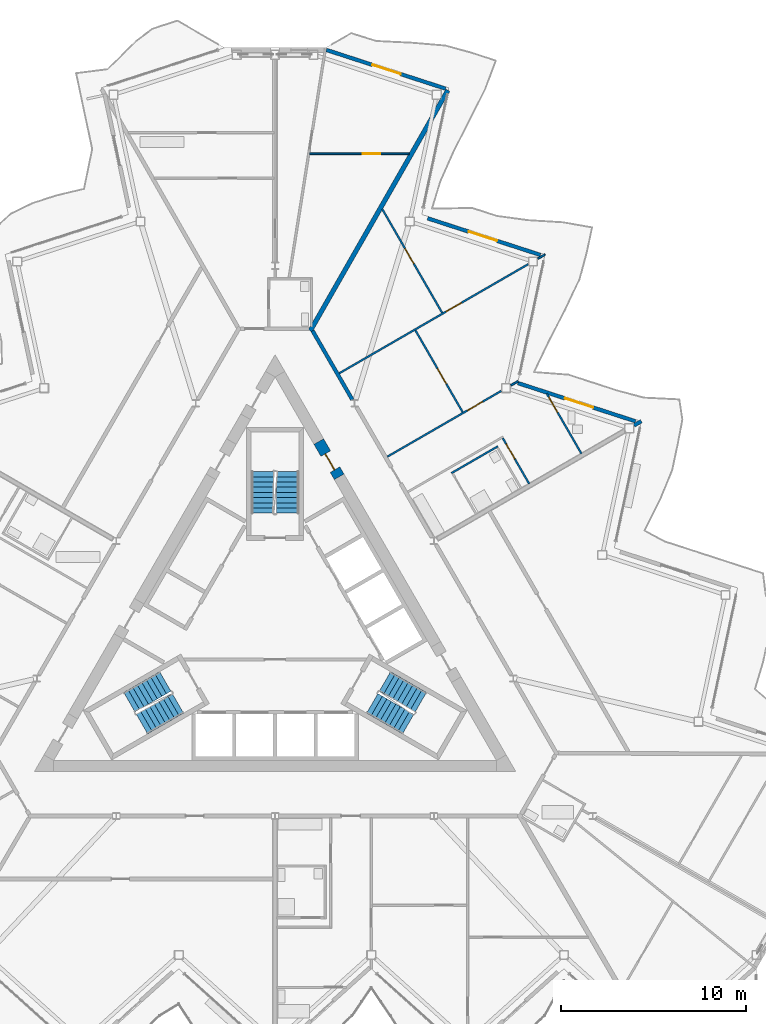
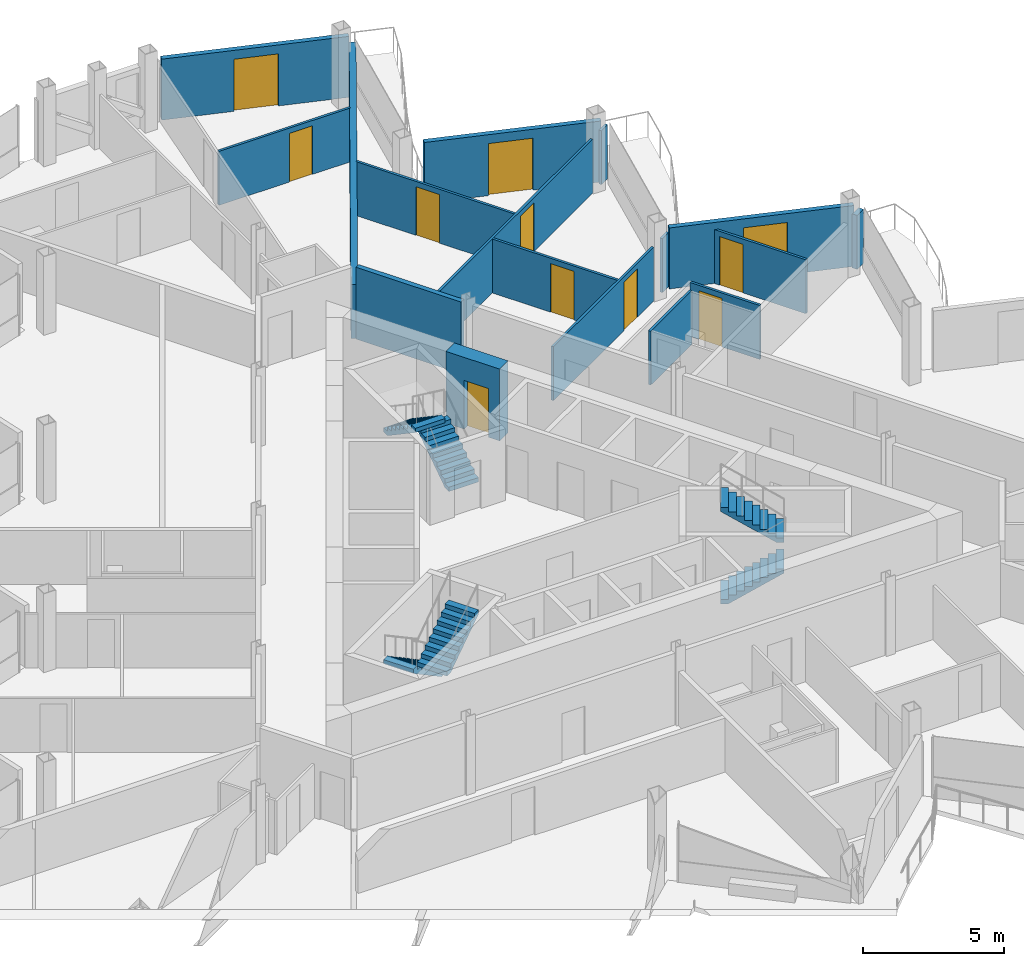
# One storey, part 17 of 26: 17 walls, 11 doors, 6 stair flights, 11 openings, 3 elements without a shape of their own.
"""IFC4 building model written with IfcOpenShell, lengths in metres."""

from ifc_helpers import new_model, si_unit, direction, frame, frame_2d, origin, place, context, subcontext, project, spatial, polyline, rectangle, outline, extrude, material, layer, layer_set, type_object, element, fill, aggregate, save


model = new_model("IFC4")

# Units and contexts
model_context = context("Model", 3, precision=1e-05, world=origin(), true_north=direction((0.0, 1.0)))
body_context = subcontext(model_context, "Body", "Model", "MODEL_VIEW")
ifc_project = project(units=[si_unit("LENGTHUNIT", "METRE"), si_unit("AREAUNIT", "SQUARE_METRE"), si_unit("VOLUMEUNIT", "CUBIC_METRE"), si_unit("PLANEANGLEUNIT", "RADIAN"), si_unit("MASSUNIT", "GRAM", prefix="KILO")], contexts=[model_context])

# Site, building, storey
site_placement = place(None, origin())
site = spatial("IfcSite", under=ifc_project, at=site_placement, CompositionType="ELEMENT")
building_placement = place(site_placement, origin())
building = spatial("IfcBuilding", under=site, at=building_placement, Name="Cormorant Prow Tower", CompositionType="ELEMENT")
storey_placement = place(building_placement, frame((0.0, 0.0, 367.800048828125)))
storey = spatial("IfcBuildingStorey", under=building, at=storey_placement, Name="L82", CompositionType="ELEMENT", Elevation=367.800048828125)

# Wall, opening, door
ifc_material_1 = material(Name="Concrete 8000 psi", Category="concrete")
ifc_layer_1 = layer(ifc_material_1, 0.60009765625)
ifc_layer_set_1 = layer_set([ifc_layer_1], Name="Concrete 8000 psi")
wall_type_1 = type_object("IfcWallType", Name="Core shear wall 600", PredefinedType="SHEAR", material=ifc_layer_set_1)
wall_1_placement = place(storey_placement, frame((3.460693359375, 8.416748046875, 0.0), z_axis=(0.0, 0.0, 1.0), x_axis=(-0.499946605688, 0.86605622881, 0.0)))
wall_1 = element("IfcWall", 1, at=wall_1_placement, inside=storey, type_object=wall_type_1, Name="Core wall door panel", PredefinedType="SHEAR", context=body_context, shape_type="SweptSolid", body=[
    extrude(rectangle(XDim=2.199951171875, YDim=0.60009765625, at=frame_2d((1.10009765625, 0.0))), origin(), (0.0, 0.0, 1.0), 3.099853515625),
])
opening_1_placement = place(wall_1_placement, frame((0.449951171875, 0.0, 0.0)))
opening_1 = element("IfcOpeningElement", 2, at=opening_1_placement, cuts=wall_1, Name="Opening L82-C17", PredefinedType="OPENING", context=body_context, shape_type="SweptSolid", body=[
    extrude(rectangle(XDim=1.0, YDim=2.10009765625, at=frame_2d((0.5, 1.050048828125))), frame((0.0, 0.31005859375, 0.0), z_axis=(0.0, -1.0, 0.0), x_axis=(1.0, 0.0, 0.0)), (0.0, 0.0, 1.0), 0.6201171875),
])
ifc_material_2 = material(Name="Painted steel", Category="steel")
door_type_1 = type_object("IfcDoorType", Name="Service door 1000x2100", OperationType="NOTDEFINED", PredefinedType="DOOR", material=ifc_material_2)
door_1_placement = place(opening_1_placement, origin())
door_1 = element("IfcDoor", 3, at=door_1_placement, inside=storey, type_object=door_type_1, Name="Core door, Mechanical riser room", OperationType="SINGLE_SWING_RIGHT", OverallHeight=2.10009765625, OverallWidth=1.0, PredefinedType="DOOR", context=body_context, shape_type="SweptSolid", body=[
    extrude(rectangle(XDim=1.0, YDim=2.10009765625, at=frame_2d((0.5, 1.050048828125))), frame((0.0, 0.05517578125, 0.0), z_axis=(0.0, -1.0, 0.0), x_axis=(1.0, 0.0, 0.0)), (0.0, 0.0, 1.0), 0.050048828125),
])
fill(opening_1, door_1)

# Walls
ifc_material_3 = material(Name="Gypsum board corridor wall")
ifc_layer_2 = layer(ifc_material_3, 0.199951171875)
ifc_layer_set_2 = layer_set([ifc_layer_2], Name="Gypsum board corridor wall")
wall_type_2 = type_object("IfcWallType", Name="Corridor wall 200", PredefinedType="PARTITIONING", material=ifc_layer_set_2)
wall_2_placement = place(storey_placement, frame((2.025390625, 16.302978515625, 0.0), z_axis=(0.0, 0.0, 1.0), x_axis=(0.500004215162, -0.866022970146, 0.0)))
element("IfcWall", 4, at=wall_2_placement, inside=storey, type_object=wall_type_2, Name="Corridor wall", PredefinedType="PARTITIONING", context=body_context, shape_type="SweptSolid", body=[
    extrude(rectangle(XDim=4.30029296875, YDim=0.199951171875, at=frame_2d((2.150146484375, 0.0))), origin(), (0.0, 0.0, 1.0), 3.099853515625),
])
ifc_material_4 = material(Name="Gypsum board demising wall")
ifc_layer_3 = layer(ifc_material_4, 0.199951171875)
ifc_layer_set_3 = layer_set([ifc_layer_3], Name="Gypsum board demising wall")
wall_type_3 = type_object("IfcWallType", Name="Demising wall 200", PredefinedType="PARTITIONING", material=ifc_layer_set_3)
wall_3_placement = place(storey_placement, frame((19.388671875, 11.194091796875, 0.0), z_axis=(0.0, 0.0, 1.0), x_axis=(0.866104518135, 0.499862944882, 0.0)))
element("IfcWall", 5, at=wall_3_placement, inside=storey, type_object=wall_type_3, Name="Demising wall", PredefinedType="PARTITIONING", context=body_context, shape_type="SweptSolid", body=[
    extrude(rectangle(XDim=0.451416015625, YDim=0.199951171875, at=frame_2d((0.2255859375, 0.0))), origin(), (0.0, 0.0, 1.0), 2.330078125),
])

# Wall, opening, door
ifc_material_5 = material(Name="Gypsum board partition")
ifc_layer_4 = layer(ifc_material_5, 0.10009765625)
ifc_layer_set_4 = layer_set([ifc_layer_4], Name="Gypsum board partition")
wall_type_4 = type_object("IfcWallType", Name="Internal partition 100", PredefinedType="PARTITIONING", material=ifc_layer_set_4)
wall_4_placement = place(storey_placement, frame((3.465087890625, 14.009521484375, 0.0), z_axis=(0.0, 0.0, 1.0), x_axis=(0.866032376801, 0.499987922186, 0.0)))
wall_4 = element("IfcWall", 6, at=wall_4_placement, inside=storey, type_object=wall_type_4, Name="Internal partition", PredefinedType="PARTITIONING", context=body_context, shape_type="SweptSolid", body=[
    extrude(rectangle(XDim=11.781982421875, YDim=0.10009765625, at=frame_2d((5.89111328125, 0.0))), origin(), (0.0, 0.0, 1.0), 2.330078125),
])
opening_2_placement = place(wall_4_placement, frame((6.669921875, 0.0, 0.0)))
opening_2 = element("IfcOpeningElement", 7, at=opening_2_placement, cuts=wall_4, Name="Opening L82-F25", PredefinedType="OPENING", context=body_context, shape_type="SweptSolid", body=[
    extrude(rectangle(XDim=0.949951171875, YDim=2.10009765625, at=frame_2d((0.47509765625, 1.050048828125))), frame((0.0, 0.06005859375, 0.0), z_axis=(0.0, -1.0, 0.0), x_axis=(1.0, 0.0, 0.0)), (0.0, 0.0, 1.0), 0.1201171875),
])
ifc_material_6 = material(Name="Timber door leaf", Category="wood")
door_type_2 = type_object("IfcDoorType", Name="Bathroom door 950x2100", OperationType="NOTDEFINED", PredefinedType="DOOR", material=ifc_material_6)
door_2_placement = place(opening_2_placement, origin())
door_2 = element("IfcDoor", 8, at=door_2_placement, inside=storey, type_object=door_type_2, Name="Bedroom door", OperationType="SINGLE_SWING_LEFT", OverallHeight=2.10009765625, OverallWidth=0.949951171875, PredefinedType="DOOR", context=body_context, shape_type="SweptSolid", body=[
    extrude(rectangle(XDim=0.949951171875, YDim=2.10009765625, at=frame_2d((0.47509765625, 1.050048828125))), frame((0.0, 0.02490234375, 0.0), z_axis=(0.0, -1.0, 0.0), x_axis=(1.0, 0.0, 0.0)), (0.0, 0.0, 1.0), 0.050048828125),
])
fill(opening_2, door_2)

wall_5_placement = place(storey_placement, frame((6.065185546875, 9.506103515625, 0.0), z_axis=(0.0, 0.0, 1.0), x_axis=(0.866018949465, 0.500011179042, 0.0)))
wall_5 = element("IfcWall", 9, at=wall_5_placement, inside=storey, type_object=wall_type_4, Name="Internal partition", PredefinedType="PARTITIONING", context=body_context, shape_type="SweptSolid", body=[
    extrude(rectangle(XDim=7.099853515625, YDim=0.10009765625, at=frame_2d((3.5498046875, 0.0))), origin(), (0.0, 0.0, 1.0), 2.330078125),
])
opening_3_placement = place(wall_5_placement, frame((4.991943359375, 0.0, 0.0)))
opening_3 = element("IfcOpeningElement", 10, at=opening_3_placement, cuts=wall_5, Name="Opening L82-F23", PredefinedType="OPENING", context=body_context, shape_type="SweptSolid", body=[
    extrude(rectangle(XDim=0.949951171875, YDim=2.10009765625, at=frame_2d((0.47509765625, 1.050048828125))), frame((0.0, 0.06005859375, 0.0), z_axis=(0.0, -1.0, 0.0), x_axis=(1.0, 0.0, 0.0)), (0.0, 0.0, 1.0), 0.1201171875),
])
door_3_placement = place(opening_3_placement, origin())
door_3 = element("IfcDoor", 11, at=door_3_placement, inside=storey, type_object=door_type_2, Name="Living room door", OperationType="SINGLE_SWING_LEFT", OverallHeight=2.10009765625, OverallWidth=0.949951171875, PredefinedType="DOOR", context=body_context, shape_type="SweptSolid", body=[
    extrude(rectangle(XDim=0.949951171875, YDim=2.10009765625, at=frame_2d((0.47509765625, 1.050048828125))), frame((0.0, 0.02490234375, 0.0), z_axis=(0.0, -1.0, 0.0), x_axis=(1.0, 0.0, 0.0)), (0.0, 0.0, 1.0), 0.050048828125),
])
fill(opening_3, door_3)

wall_6_placement = place(storey_placement, frame((5.787353515625, 22.882080078125, 0.0), z_axis=(0.0, 0.0, 1.0), x_axis=(0.500001069878, -0.866024786089, 0.0)))
wall_6 = element("IfcWall", 12, at=wall_6_placement, inside=storey, type_object=wall_type_4, Name="Internal partition", PredefinedType="PARTITIONING", context=body_context, shape_type="SweptSolid", body=[
    extrude(rectangle(XDim=6.47265625, YDim=0.10009765625, at=frame_2d((3.236328125, 0.0))), origin(), (0.0, 0.0, 1.0), 2.330078125),
])
opening_4_placement = place(wall_6_placement, frame((2.4599609375, 0.0, 0.0)))
opening_4 = element("IfcOpeningElement", 13, at=opening_4_placement, cuts=wall_6, Name="Opening L82-F26", PredefinedType="OPENING", context=body_context, shape_type="SweptSolid", body=[
    extrude(rectangle(XDim=0.949951171875, YDim=2.10009765625, at=frame_2d((0.47509765625, 1.050048828125))), frame((0.0, 0.06005859375, 0.0), z_axis=(0.0, -1.0, 0.0), x_axis=(1.0, 0.0, 0.0)), (0.0, 0.0, 1.0), 0.1201171875),
])
door_4_placement = place(opening_4_placement, origin())
door_4 = element("IfcDoor", 14, at=door_4_placement, inside=storey, type_object=door_type_2, Name="Bedroom door", OperationType="SINGLE_SWING_RIGHT", OverallHeight=2.10009765625, OverallWidth=0.949951171875, PredefinedType="DOOR", context=body_context, shape_type="SweptSolid", body=[
    extrude(rectangle(XDim=0.949951171875, YDim=2.10009765625, at=frame_2d((0.47509765625, 1.050048828125))), frame((0.0, 0.02490234375, 0.0), z_axis=(0.0, -1.0, 0.0), x_axis=(1.0, 0.0, 0.0)), (0.0, 0.0, 1.0), 0.050048828125),
])
fill(opening_4, door_4)

wall_7_placement = place(storey_placement, frame((1.8671875, 25.865478515625, 0.0), z_axis=(0.0, 0.0, 1.0), x_axis=(1.0, 0.0, 0.0)))
wall_7 = element("IfcWall", 15, at=wall_7_placement, inside=storey, type_object=wall_type_4, Name="Internal partition", PredefinedType="PARTITIONING", context=body_context, shape_type="SweptSolid", body=[
    extrude(rectangle(XDim=5.37646484375, YDim=0.10009765625, at=frame_2d((2.688232421875, 0.0))), origin(), (0.0, 0.0, 1.0), 2.330078125),
])
opening_5_placement = place(wall_7_placement, frame((2.86767578125, 0.0, 0.0)))
opening_5 = element("IfcOpeningElement", 16, at=opening_5_placement, cuts=wall_7, Name="Opening L82-F34", PredefinedType="OPENING", context=body_context, shape_type="SweptSolid", body=[
    extrude(rectangle(XDim=0.949951171875, YDim=2.10009765625, at=frame_2d((0.47509765625, 1.050048828125))), frame((0.0, 0.06005859375, 0.0), z_axis=(0.0, -1.0, 0.0), x_axis=(1.0, 0.0, 0.0)), (0.0, 0.0, 1.0), 0.1201171875),
])
door_5_placement = place(opening_5_placement, origin())
door_5 = element("IfcDoor", 17, at=door_5_placement, inside=storey, type_object=door_type_2, Name="Bedroom door", OperationType="SINGLE_SWING_LEFT", OverallHeight=2.10009765625, OverallWidth=0.949951171875, PredefinedType="DOOR", context=body_context, shape_type="SweptSolid", body=[
    extrude(rectangle(XDim=0.949951171875, YDim=2.10009765625, at=frame_2d((0.47509765625, 1.050048828125))), frame((0.0, 0.02490234375, 0.0), z_axis=(0.0, -1.0, 0.0), x_axis=(1.0, 0.0, 0.0)), (0.0, 0.0, 1.0), 0.050048828125),
])
fill(opening_5, door_5)

wall_8_placement = place(storey_placement, frame((7.580810546875, 16.327880859375, 0.0), z_axis=(0.0, 0.0, 1.0), x_axis=(0.500005610874, -0.86602216432, 0.0)))
wall_8 = element("IfcWall", 18, at=wall_8_placement, inside=storey, type_object=wall_type_4, Name="Internal partition", PredefinedType="PARTITIONING", context=body_context, shape_type="SweptSolid", body=[
    extrude(rectangle(XDim=5.10009765625, YDim=0.10009765625, at=frame_2d((2.550048828125, 0.0))), origin(), (0.0, 0.0, 1.0), 2.330078125),
])
opening_6_placement = place(wall_8_placement, frame((2.379150390625, 0.0, 0.0)))
opening_6 = element("IfcOpeningElement", 19, at=opening_6_placement, cuts=wall_8, Name="Opening L82-F24", PredefinedType="OPENING", context=body_context, shape_type="SweptSolid", body=[
    extrude(rectangle(XDim=0.949951171875, YDim=2.10009765625, at=frame_2d((0.47509765625, 1.050048828125))), frame((0.0, 0.06005859375, 0.0), z_axis=(0.0, -1.0, 0.0), x_axis=(1.0, 0.0, 0.0)), (0.0, 0.0, 1.0), 0.1201171875),
])
door_6_placement = place(opening_6_placement, origin())
door_6 = element("IfcDoor", 20, at=door_6_placement, inside=storey, type_object=door_type_2, Name="Bedroom door", OperationType="SINGLE_SWING_RIGHT", OverallHeight=2.10009765625, OverallWidth=0.949951171875, PredefinedType="DOOR", context=body_context, shape_type="SweptSolid", body=[
    extrude(rectangle(XDim=0.949951171875, YDim=2.10009765625, at=frame_2d((0.47509765625, 1.050048828125))), frame((0.0, 0.02490234375, 0.0), z_axis=(0.0, -1.0, 0.0), x_axis=(1.0, 0.0, 0.0)), (0.0, 0.0, 1.0), 0.050048828125),
])
fill(opening_6, door_6)

wall_9_placement = place(storey_placement, frame((14.671142578125, 12.917724609375, 0.0), z_axis=(0.0, 0.0, 1.0), x_axis=(0.499981580887, -0.866036037803, 0.0)))
wall_9 = element("IfcWall", 21, at=wall_9_placement, inside=storey, type_object=wall_type_4, Name="Internal partition", PredefinedType="PARTITIONING", context=body_context, shape_type="SweptSolid", body=[
    extrude(rectangle(XDim=3.751708984375, YDim=0.10009765625, at=frame_2d((1.8759765625, 0.0))), origin(), (0.0, 0.0, 1.0), 2.330078125),
])
opening_7_placement = place(wall_9_placement, frame((0.222412109375, 0.0, 0.0)))
opening_7 = element("IfcOpeningElement", 22, at=opening_7_placement, cuts=wall_9, Name="Opening L82-F21", PredefinedType="OPENING", context=body_context, shape_type="SweptSolid", body=[
    extrude(rectangle(XDim=0.949951171875, YDim=2.10009765625, at=frame_2d((0.47509765625, 1.050048828125))), frame((0.0, 0.06005859375, 0.0), z_axis=(0.0, -1.0, 0.0), x_axis=(1.0, 0.0, 0.0)), (0.0, 0.0, 1.0), 0.1201171875),
])
door_7_placement = place(opening_7_placement, origin())
door_7 = element("IfcDoor", 23, at=door_7_placement, inside=storey, type_object=door_type_2, Name="Living room door", OperationType="SINGLE_SWING_LEFT", OverallHeight=2.10009765625, OverallWidth=0.949951171875, PredefinedType="DOOR", context=body_context, shape_type="SweptSolid", body=[
    extrude(rectangle(XDim=0.949951171875, YDim=2.10009765625, at=frame_2d((0.47509765625, 1.050048828125))), frame((0.0, 0.02490234375, 0.0), z_axis=(0.0, -1.0, 0.0), x_axis=(1.0, 0.0, 0.0)), (0.0, 0.0, 1.0), 0.050048828125),
])
fill(opening_7, door_7)

wall_10_placement = place(storey_placement, frame((12.299560546875, 10.507568359375, 0.0), z_axis=(0.0, 0.0, 1.0), x_axis=(0.499999279071, -0.866025820012, 0.0)))
wall_10 = element("IfcWall", 24, at=wall_10_placement, inside=storey, type_object=wall_type_4, Name="Internal partition", PredefinedType="PARTITIONING", context=body_context, shape_type="SweptSolid", body=[
    extrude(rectangle(XDim=2.85009765625, YDim=0.10009765625, at=frame_2d((1.425048828125, 0.0))), origin(), (0.0, 0.0, 1.0), 2.330078125),
])
opening_8_placement = place(wall_10_placement, frame((0.357666015625, 0.0, 0.0)))
opening_8 = element("IfcOpeningElement", 25, at=opening_8_placement, cuts=wall_10, Name="Opening L82-F22", PredefinedType="OPENING", context=body_context, shape_type="SweptSolid", body=[
    extrude(rectangle(XDim=0.949951171875, YDim=2.10009765625, at=frame_2d((0.47509765625, 1.050048828125))), frame((0.0, 0.06005859375, 0.0), z_axis=(0.0, -1.0, 0.0), x_axis=(1.0, 0.0, 0.0)), (0.0, 0.0, 1.0), 0.1201171875),
])
door_8_placement = place(opening_8_placement, origin())
door_8 = element("IfcDoor", 26, at=door_8_placement, inside=storey, type_object=door_type_2, Name="Living room door", OperationType="SINGLE_SWING_LEFT", OverallHeight=2.10009765625, OverallWidth=0.949951171875, PredefinedType="DOOR", context=body_context, shape_type="SweptSolid", body=[
    extrude(rectangle(XDim=0.949951171875, YDim=2.10009765625, at=frame_2d((0.47509765625, 1.050048828125))), frame((0.0, 0.02490234375, 0.0), z_axis=(0.0, -1.0, 0.0), x_axis=(1.0, 0.0, 0.0)), (0.0, 0.0, 1.0), 0.050048828125),
])
fill(opening_8, door_8)

# Walls
wall_11_placement = place(storey_placement, frame((9.5234375, 8.615966796875, 0.0), z_axis=(0.0, 0.0, 1.0), x_axis=(0.866032775405, 0.499987231761, 0.0)))
element("IfcWall", 27, at=wall_11_placement, inside=storey, type_object=wall_type_4, Name="Internal partition", PredefinedType="PARTITIONING", context=body_context, shape_type="SweptSolid", body=[
    extrude(rectangle(XDim=2.89990234375, YDim=0.10009765625, at=frame_2d((1.449951171875, 0.0))), origin(), (0.0, 0.0, 1.0), 2.330078125),
])
for number, where, z_axis, x_axis, name in (
    (28, (14.188720703125, 20.20068359375, 0.0), (0.0, 0.0, 1.0), (0.865870279271, 0.500268587336, 0.0), "Internal partition"),
    (29, (12.73388671875, 13.356201171875, 0.0), (0.0, 0.0, 1.0), (0.865870279271, 0.500268587336, 0.0), "Internal partition"),
):
    element("IfcWall", number, at=place(storey_placement, frame(where, z_axis=z_axis, x_axis=x_axis)), inside=storey, type_object=wall_type_4, Name=name, PredefinedType="PARTITIONING", context=body_context, shape_type="SweptSolid", body=[
        extrude(rectangle(XDim=0.451416015625, YDim=0.10009765625, at=frame_2d((0.2255859375, 0.0))), origin(), (0.0, 0.0, 1.0), 2.330078125),
    ])
ifc_material_7 = material(Name="Acoustic gypsum party wall")
ifc_layer_5 = layer(ifc_material_7, 0.25)
ifc_layer_set_5 = layer_set([ifc_layer_5], Name="Acoustic gypsum party wall")
wall_type_5 = type_object("IfcWallType", Name="Suite party wall 250", PredefinedType="PARTITIONING", material=ifc_layer_set_5)
wall_12_placement = place(storey_placement, frame((1.90087890625, 16.302490234375, 0.0), z_axis=(0.0, 0.0, 1.0), x_axis=(0.496368960053, 0.86811166073, 0.0)))
element("IfcWall", 30, at=wall_12_placement, inside=storey, type_object=wall_type_5, Name="Suite party wall", PredefinedType="PARTITIONING", context=body_context, shape_type="SweptSolid", body=[
    extrude(rectangle(XDim=14.972412109375, YDim=0.25, at=frame_2d((7.486328125, 0.0))), origin(), (0.0, 0.0, 1.0), 2.330078125),
])

# Wall, opening, door
ifc_material_8 = material(Name="Terracotta", Category="masonry")
ifc_layer_6 = layer(ifc_material_8, 0.199951171875)
ifc_layer_set_6 = layer_set([ifc_layer_6], Name="Terracotta")
wall_type_6 = type_object("IfcWallType", Name="Terracotta jamb wall 200", PredefinedType="SOLIDWALL", material=ifc_layer_set_6)
wall_13_placement = place(storey_placement, frame((19.466552734375, 11.416259765625, 0.0), z_axis=(0.0, 0.0, 1.0), x_axis=(-0.951057706878, 0.309013330114, 0.0)))
wall_13 = element("IfcWall", 31, at=wall_13_placement, inside=storey, type_object=wall_type_6, Name="Terracotta jamb wall ENE05", PredefinedType="SOLIDWALL", context=body_context, shape_type="SweptSolid", body=[
    extrude(rectangle(XDim=6.678466796875, YDim=0.199951171875, at=frame_2d((3.33935546875, 0.0))), origin(), (0.0, 0.0, 1.0), 2.6337890625),
])
opening_9_placement = place(wall_13_placement, frame((2.402099609375, 0.0, 0.0)))
opening_9 = element("IfcOpeningElement", 32, at=opening_9_placement, cuts=wall_13, Name="Opening ED82.08", PredefinedType="OPENING", context=body_context, shape_type="SweptSolid", body=[
    extrude(rectangle(XDim=1.60009765625, YDim=2.25, at=frame_2d((0.800048828125, 1.125))), frame((0.0, 0.10986328125, 0.0), z_axis=(0.0, -1.0, 0.0), x_axis=(1.0, 0.0, 0.0)), (0.0, 0.0, 1.0), 0.219970703125),
])
ifc_material_9 = material(Name="Aluminium 6063-T6", Category="aluminium")
door_type_3 = type_object("IfcDoorType", Name="Balcony door 1600x2250", OperationType="DOUBLE_DOOR_SINGLE_SWING", PredefinedType="DOOR", material=ifc_material_9)
door_9_placement = place(opening_9_placement, origin())
door_9 = element("IfcDoor", 33, at=door_9_placement, inside=storey, type_object=door_type_3, Name="Balcony door ENE05 ED82.08", OperationType="DOUBLE_DOOR_SINGLE_SWING", OverallHeight=2.25, OverallWidth=1.60009765625, PredefinedType="DOOR", context=body_context, shape_type="SweptSolid", body=[
    extrude(rectangle(XDim=1.60009765625, YDim=2.25, at=frame_2d((0.800048828125, 1.125))), frame((0.0, 0.02490234375, 0.0), z_axis=(0.0, -1.0, 0.0), x_axis=(1.0, 0.0, 0.0)), (0.0, 0.0, 1.0), 0.050048828125),
])
fill(opening_9, door_9)

wall_14_placement = place(storey_placement, frame((14.33056640625, 20.402099609375, 0.0), z_axis=(0.0, 0.0, 1.0), x_axis=(-0.951058447414, 0.30901105094, 0.0)))
wall_14 = element("IfcWall", 34, at=wall_14_placement, inside=storey, type_object=wall_type_6, Name="Terracotta jamb wall ENE07", PredefinedType="SOLIDWALL", context=body_context, shape_type="SweptSolid", body=[
    extrude(rectangle(XDim=6.40185546875, YDim=0.199951171875, at=frame_2d((3.200927734375, 0.0))), origin(), (0.0, 0.0, 1.0), 2.6337890625),
])
opening_10_placement = place(wall_14_placement, frame((2.46923828125, 0.0, 0.0)))
opening_10 = element("IfcOpeningElement", 35, at=opening_10_placement, cuts=wall_14, Name="Opening ED82.09", PredefinedType="OPENING", context=body_context, shape_type="SweptSolid", body=[
    extrude(rectangle(XDim=1.60009765625, YDim=2.25, at=frame_2d((0.800048828125, 1.125))), frame((0.0, 0.10986328125, 0.0), z_axis=(0.0, -1.0, 0.0), x_axis=(1.0, 0.0, 0.0)), (0.0, 0.0, 1.0), 0.219970703125),
])
door_10_placement = place(opening_10_placement, origin())
door_10 = element("IfcDoor", 36, at=door_10_placement, inside=storey, type_object=door_type_3, Name="Balcony door ENE07 ED82.09", OperationType="DOUBLE_DOOR_SINGLE_SWING", OverallHeight=2.25, OverallWidth=1.60009765625, PredefinedType="DOOR", context=body_context, shape_type="SweptSolid", body=[
    extrude(rectangle(XDim=1.60009765625, YDim=2.25, at=frame_2d((0.800048828125, 1.125))), frame((0.0, 0.02490234375, 0.0), z_axis=(0.0, -1.0, 0.0), x_axis=(1.0, 0.0, 0.0)), (0.0, 0.0, 1.0), 0.050048828125),
])
fill(opening_10, door_10)

wall_15_placement = place(storey_placement, frame((9.216064453125, 29.381103515625, 0.0), z_axis=(0.0, 0.0, 1.0), x_axis=(-0.951058150748, 0.309011964002, 0.0)))
wall_15 = element("IfcWall", 37, at=wall_15_placement, inside=storey, type_object=wall_type_6, Name="Terracotta jamb wall ENE09", PredefinedType="SOLIDWALL", context=body_context, shape_type="SweptSolid", body=[
    extrude(rectangle(XDim=6.77880859375, YDim=0.199951171875, at=frame_2d((3.389404296875, 0.0))), origin(), (0.0, 0.0, 1.0), 2.6337890625),
])
opening_11_placement = place(wall_15_placement, frame((2.559326171875, 0.0, 0.0)))
opening_11 = element("IfcOpeningElement", 38, at=opening_11_placement, cuts=wall_15, Name="Opening ED82.10", PredefinedType="OPENING", context=body_context, shape_type="SweptSolid", body=[
    extrude(rectangle(XDim=1.60009765625, YDim=2.25, at=frame_2d((0.800048828125, 1.125))), frame((0.0, 0.10986328125, 0.0), z_axis=(0.0, -1.0, 0.0), x_axis=(1.0, 0.0, 0.0)), (0.0, 0.0, 1.0), 0.219970703125),
])
door_11_placement = place(opening_11_placement, origin())
door_11 = element("IfcDoor", 39, at=door_11_placement, inside=storey, type_object=door_type_3, Name="Balcony door ENE09 ED82.10", OperationType="DOUBLE_DOOR_SINGLE_SWING", OverallHeight=2.25, OverallWidth=1.60009765625, PredefinedType="DOOR", context=body_context, shape_type="SweptSolid", body=[
    extrude(rectangle(XDim=1.60009765625, YDim=2.25, at=frame_2d((0.800048828125, 1.125))), frame((0.0, 0.02490234375, 0.0), z_axis=(0.0, -1.0, 0.0), x_axis=(1.0, 0.0, 0.0)), (0.0, 0.0, 1.0), 0.050048828125),
])
fill(opening_11, door_11)

# Stair, stair flights
ifc_material_10 = material(Name="Exit stair 18 risers")
stair_type = type_object("IfcStairType", Name="Exit stair 18 risers", PredefinedType="HALF_TURN_STAIR", material=ifc_material_10)
stair_1_placement = place(storey_placement, origin())
stair_1 = element("IfcStair", 40, at=stair_1_placement, inside=storey, type_object=stair_type, Name="L82 Exit stair ST1", PredefinedType="HALF_TURN_STAIR")
ifc_material_11 = material(Name="Concrete 5000 psi", Category="concrete")
stair_flight_type = type_object("IfcStairFlightType", Name="Stair flight 1219", PredefinedType="STRAIGHT", material=ifc_material_11)
stair_flight_1_placement = place(storey_placement, frame((-5.93310546875, -2.635009765625, 0.0), z_axis=(0.0, 0.0, 1.0), x_axis=(-0.866025403784, -0.5, 0.0)))
stair_flight_1 = element("IfcStairFlight", 41, at=stair_flight_1_placement, type_object=stair_flight_type, Name="ST1 flight 1", NumberOfRisers=9, NumberOfTreads=8, PredefinedType="STRAIGHT", RiserHeight=0.188888889, TreadLength=0.28, context=body_context, shape_type="SweptSolid", body=[
    extrude(outline(polyline([(0.0, 0.0), (0.0, 0.18896484375), (0.280029296875, 0.18896484375), (0.280029296875, 0.377685546875), (0.56005859375, 0.377685546875), (0.56005859375, 0.566650390625), (0.840087890625, 0.566650390625), (0.840087890625, 0.755615234375), (1.1201171875, 0.755615234375), (1.1201171875, 0.9443359375), (1.39990234375, 0.9443359375), (1.39990234375, 1.13330078125), (1.679931640625, 1.13330078125), (1.679931640625, 1.322265625), (1.9599609375, 1.322265625), (1.9599609375, 1.51123046875), (2.239990234375, 1.51123046875), (2.239990234375, 1.699951171875), (2.239990234375, 1.330322265625), (0.26806640625, 0.0), (0.0, 0.0)])), frame((0.0, 0.609375, 0.0), z_axis=(0.0, -1.0, 0.0), x_axis=(1.0, 0.0, 0.0)), (0.0, 0.0, 1.0), 1.218994140625),
])
stair_flight_2_placement = place(storey_placement, frame((-7.1884765625, -4.940673828125, 1.699951171875), z_axis=(0.0, 0.0, 1.0), x_axis=(0.866025403784, 0.5, 0.0)))
stair_flight_2 = element("IfcStairFlight", 42, at=stair_flight_2_placement, type_object=stair_flight_type, Name="ST1 flight 2", NumberOfRisers=9, NumberOfTreads=8, PredefinedType="STRAIGHT", RiserHeight=0.188888889, TreadLength=0.28, context=body_context, shape_type="SweptSolid", body=[
    extrude(outline(polyline([(0.0, 0.0), (0.0, 0.18896484375), (0.280029296875, 0.18896484375), (0.280029296875, 0.377685546875), (0.56005859375, 0.377685546875), (0.56005859375, 0.566650390625), (0.840087890625, 0.566650390625), (0.840087890625, 0.755615234375), (1.1201171875, 0.755615234375), (1.1201171875, 0.9443359375), (1.39990234375, 0.9443359375), (1.39990234375, 1.13330078125), (1.679931640625, 1.13330078125), (1.679931640625, 1.322265625), (1.9599609375, 1.322265625), (1.9599609375, 1.51123046875), (2.239990234375, 1.51123046875), (2.239990234375, 1.699951171875), (2.239990234375, 1.330322265625), (0.26806640625, 0.0), (0.0, 0.0)])), frame((0.0, 0.609375, 0.0), z_axis=(0.0, -1.0, 0.0), x_axis=(1.0, 0.0, 0.0)), (0.0, 0.0, 1.0), 1.218994140625),
])
aggregate(stair_1, [stair_flight_1, stair_flight_2])

stair_2_placement = place(storey_placement, origin())
stair_2 = element("IfcStair", 43, at=stair_2_placement, inside=storey, type_object=stair_type, Name="L82 Exit stair ST2", PredefinedType="HALF_TURN_STAIR")
stair_flight_3_placement = place(storey_placement, frame((5.24853515625, -3.82080078125, 0.0), z_axis=(0.0, 0.0, 1.0), x_axis=(0.866025403784, -0.5, 0.0)))
stair_flight_3 = element("IfcStairFlight", 44, at=stair_flight_3_placement, type_object=stair_flight_type, Name="ST2 flight 1", NumberOfRisers=9, NumberOfTreads=8, PredefinedType="STRAIGHT", RiserHeight=0.188888889, TreadLength=0.28, context=body_context, shape_type="SweptSolid", body=[
    extrude(outline(polyline([(0.0, 0.0), (0.0, 0.18896484375), (0.280029296875, 0.18896484375), (0.280029296875, 0.377685546875), (0.56005859375, 0.377685546875), (0.56005859375, 0.566650390625), (0.840087890625, 0.566650390625), (0.840087890625, 0.755615234375), (1.1201171875, 0.755615234375), (1.1201171875, 0.9443359375), (1.39990234375, 0.9443359375), (1.39990234375, 1.13330078125), (1.679931640625, 1.13330078125), (1.679931640625, 1.322265625), (1.9599609375, 1.322265625), (1.9599609375, 1.51123046875), (2.239990234375, 1.51123046875), (2.239990234375, 1.699951171875), (2.239990234375, 1.330322265625), (0.26806640625, 0.0), (0.0, 0.0)])), frame((0.0, 0.609375, 0.0), z_axis=(0.0, -1.0, 0.0), x_axis=(1.0, 0.0, 0.0)), (0.0, 0.0, 1.0), 1.218994140625),
])
stair_flight_4_placement = place(storey_placement, frame((7.873046875, -3.755126953125, 1.699951171875), z_axis=(0.0, 0.0, 1.0), x_axis=(-0.866025403784, 0.5, 0.0)))
stair_flight_4 = element("IfcStairFlight", 45, at=stair_flight_4_placement, type_object=stair_flight_type, Name="ST2 flight 2", NumberOfRisers=9, NumberOfTreads=8, PredefinedType="STRAIGHT", RiserHeight=0.188888889, TreadLength=0.28, context=body_context, shape_type="SweptSolid", body=[
    extrude(outline(polyline([(0.0, 0.0), (0.0, 0.18896484375), (0.280029296875, 0.18896484375), (0.280029296875, 0.377685546875), (0.56005859375, 0.377685546875), (0.56005859375, 0.566650390625), (0.840087890625, 0.566650390625), (0.840087890625, 0.755615234375), (1.1201171875, 0.755615234375), (1.1201171875, 0.9443359375), (1.39990234375, 0.9443359375), (1.39990234375, 1.13330078125), (1.679931640625, 1.13330078125), (1.679931640625, 1.322265625), (1.9599609375, 1.322265625), (1.9599609375, 1.51123046875), (2.239990234375, 1.51123046875), (2.239990234375, 1.699951171875), (2.239990234375, 1.330322265625), (0.26806640625, 0.0), (0.0, 0.0)])), frame((0.0, 0.609375, 0.0), z_axis=(0.0, -1.0, 0.0), x_axis=(1.0, 0.0, 0.0)), (0.0, 0.0, 1.0), 1.218994140625),
])
aggregate(stair_2, [stair_flight_3, stair_flight_4])

stair_3_placement = place(storey_placement, origin())
stair_3 = element("IfcStair", 46, at=stair_3_placement, inside=storey, type_object=stair_type, Name="L82 Exit stair ST3", PredefinedType="HALF_TURN_STAIR")
stair_flight_5_placement = place(storey_placement, frame((0.6845703125, 6.455810546875, 0.0), z_axis=(0.0, 0.0, 1.0), x_axis=(0.0, 1.0, 0.0)))
stair_flight_5 = element("IfcStairFlight", 47, at=stair_flight_5_placement, type_object=stair_flight_type, Name="ST3 flight 1", NumberOfRisers=9, NumberOfTreads=8, PredefinedType="STRAIGHT", RiserHeight=0.188888889, TreadLength=0.28, context=body_context, shape_type="SweptSolid", body=[
    extrude(outline(polyline([(0.0, 0.0), (0.0, 0.18896484375), (0.280029296875, 0.18896484375), (0.280029296875, 0.377685546875), (0.56005859375, 0.377685546875), (0.56005859375, 0.566650390625), (0.840087890625, 0.566650390625), (0.840087890625, 0.755615234375), (1.1201171875, 0.755615234375), (1.1201171875, 0.9443359375), (1.39990234375, 0.9443359375), (1.39990234375, 1.13330078125), (1.679931640625, 1.13330078125), (1.679931640625, 1.322265625), (1.9599609375, 1.322265625), (1.9599609375, 1.51123046875), (2.239990234375, 1.51123046875), (2.239990234375, 1.699951171875), (2.239990234375, 1.330322265625), (0.26806640625, 0.0), (0.0, 0.0)])), frame((0.0, 0.609375, 0.0), z_axis=(0.0, -1.0, 0.0), x_axis=(1.0, 0.0, 0.0)), (0.0, 0.0, 1.0), 1.218994140625),
])
stair_flight_6_placement = place(storey_placement, frame((-0.6845703125, 8.69580078125, 1.699951171875), z_axis=(0.0, 0.0, 1.0), x_axis=(0.0, -1.0, 0.0)))
stair_flight_6 = element("IfcStairFlight", 48, at=stair_flight_6_placement, type_object=stair_flight_type, Name="ST3 flight 2", NumberOfRisers=9, NumberOfTreads=8, PredefinedType="STRAIGHT", RiserHeight=0.188888889, TreadLength=0.28, context=body_context, shape_type="SweptSolid", body=[
    extrude(outline(polyline([(0.0, 0.0), (0.0, 0.18896484375), (0.280029296875, 0.18896484375), (0.280029296875, 0.377685546875), (0.56005859375, 0.377685546875), (0.56005859375, 0.566650390625), (0.840087890625, 0.566650390625), (0.840087890625, 0.755615234375), (1.1201171875, 0.755615234375), (1.1201171875, 0.9443359375), (1.39990234375, 0.9443359375), (1.39990234375, 1.13330078125), (1.679931640625, 1.13330078125), (1.679931640625, 1.322265625), (1.9599609375, 1.322265625), (1.9599609375, 1.51123046875), (2.239990234375, 1.51123046875), (2.239990234375, 1.699951171875), (2.239990234375, 1.330322265625), (0.26806640625, 0.0), (0.0, 0.0)])), frame((0.0, 0.609375, 0.0), z_axis=(0.0, -1.0, 0.0), x_axis=(1.0, 0.0, 0.0)), (0.0, 0.0, 1.0), 1.218994140625),
])
aggregate(stair_3, [stair_flight_5, stair_flight_6])

save(model, "model.ifc")
